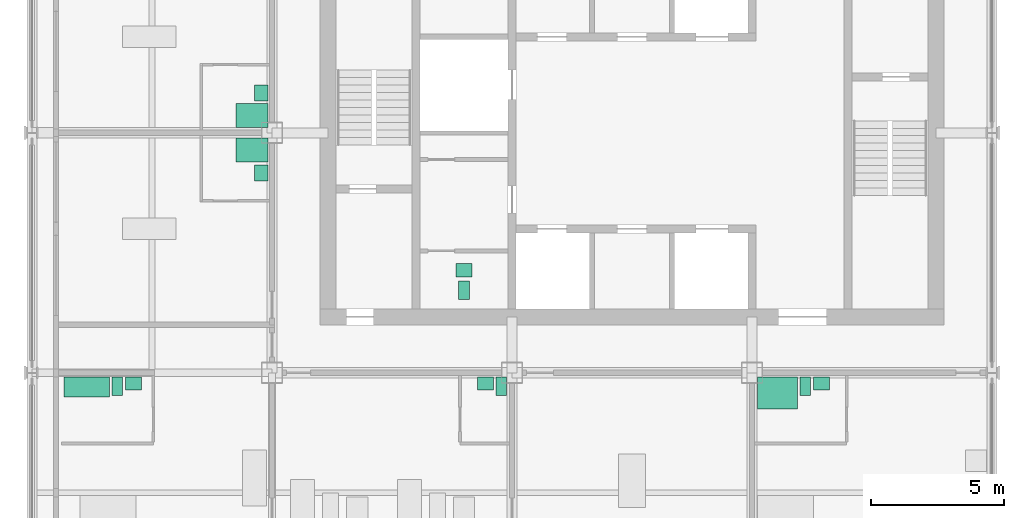
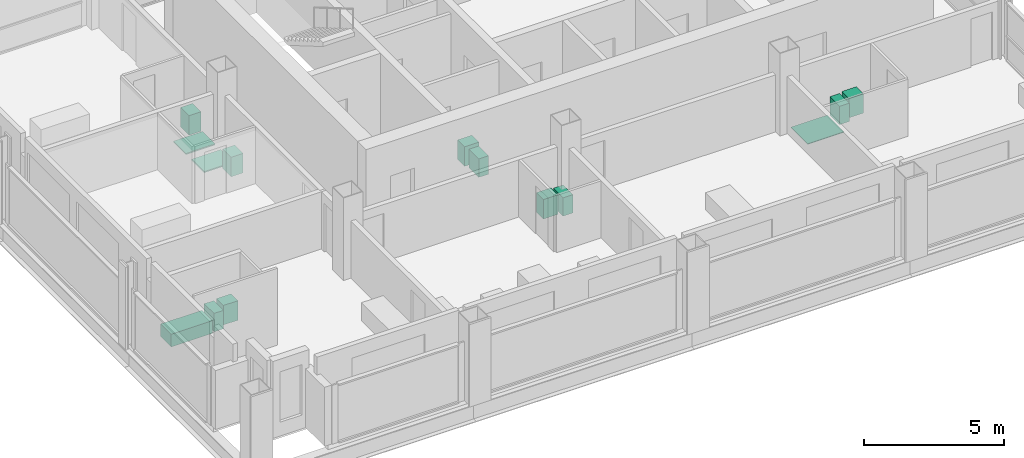
# One storey, part 10 of 11: 14 sanitary terminals.
"""IFC4 building model written with IfcOpenShell, lengths in metres."""

from ifc_helpers import new_model, si_unit, direction, frame, origin, origin_2d, place, context, subcontext, project, spatial, rectangle, extrude, element, save


model = new_model("IFC4")

# Units and contexts
model_context = context("Model", 3, precision=1e-05, world=origin(), true_north=direction((0.0, 1.0)))
body_context = subcontext(model_context, "Body", "Model", "MODEL_VIEW")
ifc_project = project(units=[si_unit("LENGTHUNIT", "METRE"), si_unit("AREAUNIT", "SQUARE_METRE"), si_unit("VOLUMEUNIT", "CUBIC_METRE"), si_unit("PLANEANGLEUNIT", "RADIAN"), si_unit("MASSUNIT", "GRAM", prefix="KILO")], contexts=[model_context])

# Site, building, storey
site_placement = place(None, origin())
site = spatial("IfcSite", under=ifc_project, at=site_placement, CompositionType="ELEMENT")
building_placement = place(site_placement, origin())
building = spatial("IfcBuilding", under=site, at=building_placement, Name="Loomwork Tower", CompositionType="ELEMENT")
storey_placement = place(building_placement, frame((0.0, 0.0, 266.199951171875)))
storey = spatial("IfcBuildingStorey", under=building, at=storey_placement, Name="L73", CompositionType="ELEMENT", Elevation=266.199951171875)

# Sanitary terminals
sanitary_terminal_1_placement = place(storey_placement, frame((2.050048828125, 8.47509765625, 0.0), z_axis=(0.0, 0.0, 1.0), x_axis=(1.0, 0.0, 0.0)))
element("IfcSanitaryTerminal", 1, at=sanitary_terminal_1_placement, inside=storey, Name="Bath L73", PredefinedType="BATH", context=body_context, shape_type="SweptSolid", body=[
    extrude(rectangle(XDim=1.699951171875, YDim=0.75, at=origin_2d()), origin(), (0.0, 0.0, 1.0), 0.550048828125),
])
sanitary_terminal_2_placement = place(storey_placement, frame((3.199951171875, 8.5, 0.0), z_axis=(0.0, 0.0, 1.0), x_axis=(1.0, 0.0, 0.0)))
element("IfcSanitaryTerminal", 2, at=sanitary_terminal_2_placement, inside=storey, Name="WC L73", PredefinedType="TOILETPAN", context=body_context, shape_type="SweptSolid", body=[
    extrude(rectangle(XDim=0.39990234375, YDim=0.699951171875, at=origin_2d()), origin(), (0.0, 0.0, 1.0), 0.800048828125),
])
sanitary_terminal_3_placement = place(storey_placement, frame((3.800048828125, 8.60009765625, 0.0), z_axis=(0.0, 0.0, 1.0), x_axis=(1.0, 0.0, 0.0)))
element("IfcSanitaryTerminal", 3, at=sanitary_terminal_3_placement, inside=storey, Name="Basin vanity L73", PredefinedType="WASHHANDBASIN", context=body_context, shape_type="SweptSolid", body=[
    extrude(rectangle(XDim=0.60009765625, YDim=0.5, at=origin_2d()), origin(), (0.0, 0.0, 1.0), 0.85009765625),
])
sanitary_terminal_4_placement = place(storey_placement, frame((17.60009765625, 8.5, 0.0), z_axis=(0.0, 0.0, 1.0), x_axis=(1.0, 0.0, 0.0)))
element("IfcSanitaryTerminal", 4, at=sanitary_terminal_4_placement, inside=storey, Name="WC L73", PredefinedType="TOILETPAN", context=body_context, shape_type="SweptSolid", body=[
    extrude(rectangle(XDim=0.39990234375, YDim=0.699951171875, at=origin_2d()), origin(), (0.0, 0.0, 1.0), 0.800048828125),
])
sanitary_terminal_5_placement = place(storey_placement, frame((17.0, 8.60009765625, 0.0), z_axis=(0.0, 0.0, 1.0), x_axis=(1.0, 0.0, 0.0)))
element("IfcSanitaryTerminal", 5, at=sanitary_terminal_5_placement, inside=storey, Name="Basin vanity L73", PredefinedType="WASHHANDBASIN", context=body_context, shape_type="SweptSolid", body=[
    extrude(rectangle(XDim=0.60009765625, YDim=0.5, at=origin_2d()), origin(), (0.0, 0.0, 1.0), 0.85009765625),
])
sanitary_terminal_6_placement = place(storey_placement, frame((27.949951171875, 8.25, 0.0), z_axis=(0.0, 0.0, 1.0), x_axis=(1.0, 0.0, 0.0)))
element("IfcSanitaryTerminal", 6, at=sanitary_terminal_6_placement, inside=storey, Name="Roll-in shower floor L73", PredefinedType="SHOWER", context=body_context, shape_type="SweptSolid", body=[
    extrude(rectangle(XDim=1.5, YDim=1.199951171875, at=origin_2d()), origin(), (0.0, 0.0, 1.0), 0.030029296875),
])
sanitary_terminal_7_placement = place(storey_placement, frame((29.0, 8.5, 0.0), z_axis=(0.0, 0.0, 1.0), x_axis=(1.0, 0.0, 0.0)))
element("IfcSanitaryTerminal", 7, at=sanitary_terminal_7_placement, inside=storey, Name="WC L73", PredefinedType="TOILETPAN", context=body_context, shape_type="SweptSolid", body=[
    extrude(rectangle(XDim=0.39990234375, YDim=0.699951171875, at=origin_2d()), origin(), (0.0, 0.0, 1.0), 0.800048828125),
])
sanitary_terminal_8_placement = place(storey_placement, frame((29.60009765625, 8.60009765625, 0.0), z_axis=(0.0, 0.0, 1.0), x_axis=(1.0, 0.0, 0.0)))
element("IfcSanitaryTerminal", 8, at=sanitary_terminal_8_placement, inside=storey, Name="Basin vanity L73", PredefinedType="WASHHANDBASIN", context=body_context, shape_type="SweptSolid", body=[
    extrude(rectangle(XDim=0.60009765625, YDim=0.5, at=origin_2d()), origin(), (0.0, 0.0, 1.0), 0.85009765625),
])
sanitary_terminal_9_placement = place(storey_placement, frame((8.25, 17.35009765625, 0.0), z_axis=(0.0, 0.0, 1.0), x_axis=(1.0, 0.0, 0.0)))
element("IfcSanitaryTerminal", 9, at=sanitary_terminal_9_placement, inside=storey, Name="Shower tray L73", PredefinedType="SHOWER", context=body_context, shape_type="SweptSolid", body=[
    extrude(rectangle(XDim=1.199951171875, YDim=0.89990234375, at=origin_2d()), origin(), (0.0, 0.0, 1.0), 0.050048828125),
])
sanitary_terminal_10_placement = place(storey_placement, frame((8.60009765625, 16.5, 0.0), z_axis=(0.0, 0.0, 1.0), x_axis=(1.0, 0.0, 0.0)))
element("IfcSanitaryTerminal", 10, at=sanitary_terminal_10_placement, inside=storey, Name="Basin vanity L73", PredefinedType="WASHHANDBASIN", context=body_context, shape_type="SweptSolid", body=[
    extrude(rectangle(XDim=0.5, YDim=0.60009765625, at=origin_2d()), origin(), (0.0, 0.0, 1.0), 0.85009765625),
])
sanitary_terminal_11_placement = place(storey_placement, frame((8.25, 18.64990234375, 0.0), z_axis=(0.0, 0.0, 1.0), x_axis=(1.0, 0.0, 0.0)))
element("IfcSanitaryTerminal", 11, at=sanitary_terminal_11_placement, inside=storey, Name="Shower tray L73", PredefinedType="SHOWER", context=body_context, shape_type="SweptSolid", body=[
    extrude(rectangle(XDim=1.199951171875, YDim=0.89990234375, at=origin_2d()), origin(), (0.0, 0.0, 1.0), 0.050048828125),
])
sanitary_terminal_12_placement = place(storey_placement, frame((8.60009765625, 19.5, 0.0), z_axis=(0.0, 0.0, 1.0), x_axis=(1.0, 0.0, 0.0)))
element("IfcSanitaryTerminal", 12, at=sanitary_terminal_12_placement, inside=storey, Name="Basin vanity L73", PredefinedType="WASHHANDBASIN", context=body_context, shape_type="SweptSolid", body=[
    extrude(rectangle(XDim=0.5, YDim=0.60009765625, at=origin_2d()), origin(), (0.0, 0.0, 1.0), 0.85009765625),
])
sanitary_terminal_13_placement = place(storey_placement, frame((16.199951171875, 12.10009765625, 0.0), z_axis=(0.0, 0.0, 1.0), x_axis=(1.0, 0.0, 0.0)))
element("IfcSanitaryTerminal", 13, at=sanitary_terminal_13_placement, inside=storey, Name="WC L73", PredefinedType="TOILETPAN", context=body_context, shape_type="SweptSolid", body=[
    extrude(rectangle(XDim=0.39990234375, YDim=0.699951171875, at=origin_2d()), origin(), (0.0, 0.0, 1.0), 0.800048828125),
])
sanitary_terminal_14_placement = place(storey_placement, frame((16.199951171875, 12.85009765625, 0.0), z_axis=(0.0, 0.0, 1.0), x_axis=(1.0, 0.0, 0.0)))
element("IfcSanitaryTerminal", 14, at=sanitary_terminal_14_placement, inside=storey, Name="Basin L73", PredefinedType="WASHHANDBASIN", context=body_context, shape_type="SweptSolid", body=[
    extrude(rectangle(XDim=0.60009765625, YDim=0.5, at=origin_2d()), origin(), (0.0, 0.0, 1.0), 0.85009765625),
])

save(model, "model.ifc")
